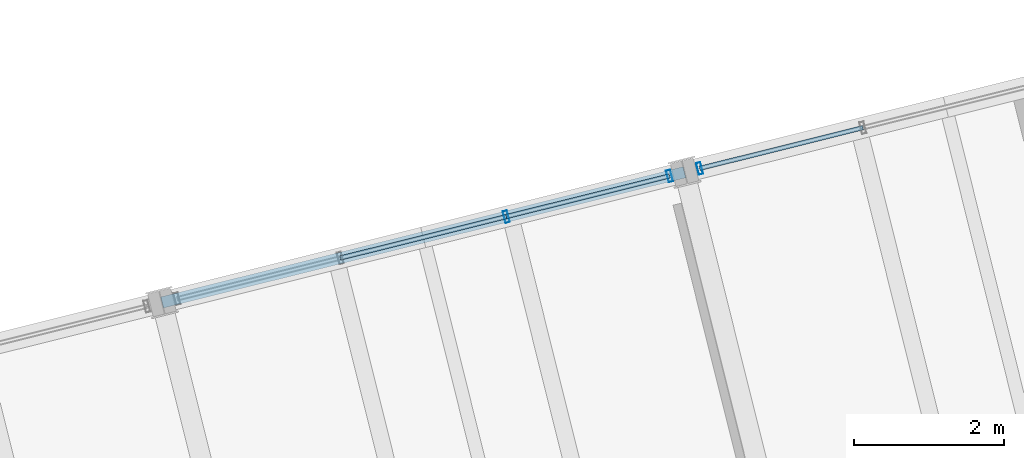
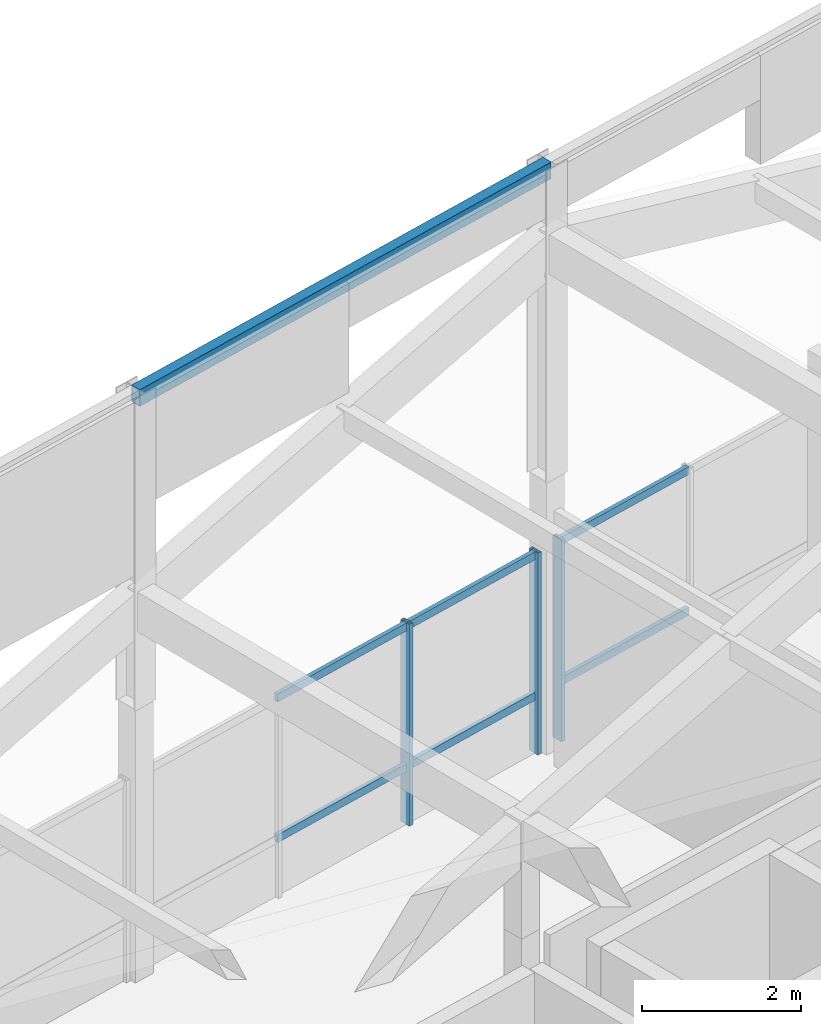
# One storey, part 17 of 31: 9 members, 1 beam, 2 elements without a shape of their own.
"""IFC4 building model written with IfcOpenShell, lengths in metres."""

from ifc_helpers import new_model, si_unit, direction, frame, origin, origin_2d, place, context, subcontext, project, spatial, hollow_rectangle, extrude, material, layer, layer_set, material_profile, profile_set, type_object, element, aggregate, save


model = new_model("IFC4")

# Units and contexts
model_context = context("Model", 3, precision=1e-05, world=origin(), true_north=direction((0.0, 1.0)))
body_context = subcontext(model_context, "Body", "Model", "MODEL_VIEW")
ifc_project = project(units=[si_unit("LENGTHUNIT", "METRE"), si_unit("AREAUNIT", "SQUARE_METRE"), si_unit("VOLUMEUNIT", "CUBIC_METRE"), si_unit("PLANEANGLEUNIT", "RADIAN"), si_unit("MASSUNIT", "GRAM", prefix="KILO")], contexts=[model_context])

# Site, building, storey
site_placement = place(None, origin())
site = spatial("IfcSite", under=ifc_project, at=site_placement, CompositionType="ELEMENT")
building_placement = place(site_placement, origin())
building = spatial("IfcBuilding", under=site, at=building_placement, Name="Meriwether Solvik Hall", CompositionType="ELEMENT")
storey_placement = place(building_placement, frame((0.0, 0.0, 61.199951171875)))
storey = spatial("IfcBuildingStorey", under=building, at=storey_placement, Name="L15", CompositionType="ELEMENT", Elevation=61.199951171875)

# Beam
ifc_material_1 = material(Name="Steel A500 Grade C", Category="steel")
ifc_material_profile_1 = material_profile(ifc_material_1, hollow_rectangle(XDim=0.152099609375, YDim=0.25390625, WallThickness=0.009521484375, at=origin_2d()), Name="HSS254X152X9.5")
ifc_profile_set_1 = profile_set([ifc_material_profile_1], Name="Steel A500 Grade C")
beam_type = type_object("IfcBeamType", Name="BM-STL-HSS254", PredefinedType="SPANDREL", material=ifc_profile_set_1)
beam_placement = place(storey_placement, frame((76.1865234375, 71.94873046875, 8.873046875), z_axis=(-0.970291911955, -0.241937193493, 0.0), x_axis=(0.241937193493, -0.970291911955, 0.0)))
element("IfcBeam", 1, at=beam_placement, inside=storey, type_object=beam_type, Name="Crown Cap Ring Beam T3TE-T2TE", PredefinedType="SPANDREL", context=body_context, shape_type="SweptSolid", body=[
    extrude(hollow_rectangle(XDim=0.152099609375, YDim=0.25390625, WallThickness=0.009521484375, at=origin_2d()), origin(), (0.0, 0.0, 1.0), 7.199951171875),
])

# Curtain wall, members
ifc_material_2 = material(Name="Thermally Broken Anodised Aluminium 6063-T6 and Low-E Glass", Category="aluminium")
ifc_layer_1 = layer(ifc_material_2, 0.179931640625)
ifc_layer_set_1 = layer_set([ifc_layer_1], Name="Thermally Broken Anodised Aluminium 6063-T6 and Low-E Glass")
curtain_wall_type_1 = type_object("IfcCurtainWallType", Name="CW-UNIT-B", PredefinedType="USERDEFINED", material=ifc_layer_set_1)
curtain_wall_1_placement = place(storey_placement, origin())
curtain_wall_1 = element("IfcCurtainWall", 2, at=curtain_wall_1_placement, inside=storey, type_object=curtain_wall_type_1, Name="Curtain Wall E2_B1 (L15)", ObjectType="UNITISED CURTAIN WALL", PredefinedType="USERDEFINED")
ifc_material_3 = material(Name="Anodised Aluminium 6063-T6", Category="aluminium")
ifc_material_profile_2 = material_profile(ifc_material_3, hollow_rectangle(XDim=0.06005859375, YDim=0.159912109375, WallThickness=0.00390625, at=origin_2d()), Name="CWM-60X160")
ifc_profile_set_2 = profile_set([ifc_material_profile_2], Name="Anodised Aluminium 6063-T6")
member_type_1 = type_object("IfcMemberType", Name="CW-MUL-60X160", PredefinedType="MULLION", material=ifc_profile_set_2)
member_1_placement = place(storey_placement, frame((73.802978515625, 71.3544921875, 0.0), z_axis=(0.0, 0.0, 1.0), x_axis=(0.970295730764, 0.241921877598, 0.0)))
member_1 = element("IfcMember", 3, at=member_1_placement, type_object=member_type_1, Name="Curtain Wall Mullion 3", PredefinedType="MULLION", context=body_context, shape_type="SweptSolid", body=[
    extrude(hollow_rectangle(XDim=0.06005859375, YDim=0.159912109375, WallThickness=0.00390625, at=origin_2d()), origin(), (0.0, 0.0, 1.0), 3.10205078125),
])
member_2_placement = place(storey_placement, frame((75.9853515625, 71.8984375, 0.0), z_axis=(0.0, 0.0, 1.0), x_axis=(0.970295730764, 0.241921877598, 0.0)))
member_2 = element("IfcMember", 4, at=member_2_placement, type_object=member_type_1, Name="Curtain Wall Mullion 4", PredefinedType="MULLION", context=body_context, shape_type="SweptSolid", body=[
    extrude(hollow_rectangle(XDim=0.06005859375, YDim=0.159912109375, WallThickness=0.00390625, at=origin_2d()), origin(), (0.0, 0.0, 1.0), 3.10205078125),
])

# Curtain wall, member
ifc_material_4 = material(Name="Thermally Broken Anodised Aluminium 6063-T6 and Low-E Glass", Category="aluminium")
ifc_layer_2 = layer(ifc_material_4, 0.179931640625)
ifc_layer_set_2 = layer_set([ifc_layer_2], Name="Thermally Broken Anodised Aluminium 6063-T6 and Low-E Glass")
curtain_wall_type_2 = type_object("IfcCurtainWallType", Name="CW-UNIT-C", PredefinedType="USERDEFINED", material=ifc_layer_set_2)
curtain_wall_2_placement = place(storey_placement, origin())
curtain_wall_2 = element("IfcCurtainWall", 5, at=curtain_wall_2_placement, inside=storey, type_object=curtain_wall_type_2, Name="Curtain Wall E2_B2 (L15)", ObjectType="UNITISED CURTAIN WALL", PredefinedType="USERDEFINED")
member_3_placement = place(storey_placement, frame((76.387939453125, 71.9990234375, 0.0), z_axis=(0.0, 0.0, 1.0), x_axis=(0.970295730764, 0.241921877598, 0.0)))
member_3 = element("IfcMember", 6, at=member_3_placement, type_object=member_type_1, Name="Curtain Wall Mullion 1", PredefinedType="MULLION", context=body_context, shape_type="SweptSolid", body=[
    extrude(hollow_rectangle(XDim=0.06005859375, YDim=0.159912109375, WallThickness=0.00390625, at=origin_2d()), origin(), (0.0, 0.0, 1.0), 3.10205078125),
])

# Member
ifc_material_5 = material(Name="Anodised Aluminium 6063-T6", Category="aluminium")
ifc_material_profile_3 = material_profile(ifc_material_5, hollow_rectangle(XDim=0.06005859375, YDim=0.1201171875, WallThickness=0.00390625, at=origin_2d()), Name="CWT-60X120")
ifc_profile_set_3 = profile_set([ifc_material_profile_3], Name="Anodised Aluminium 6063-T6")
member_type_2 = type_object("IfcMemberType", Name="CW-TRN-60X120", PredefinedType="USERDEFINED", material=ifc_profile_set_3)
member_4_placement = place(storey_placement, frame((71.583984375, 70.80126953125, 0.880126953125), z_axis=(0.97029929005, 0.241907601634, 0.0), x_axis=(-0.241907601634, 0.97029929005, 0.0)))
member_4 = element("IfcMember", 7, at=member_4_placement, type_object=member_type_2, Name="Curtain Wall Transom 2-sill", ObjectType="TRANSOM", PredefinedType="USERDEFINED", context=body_context, shape_type="SweptSolid", body=[
    extrude(hollow_rectangle(XDim=0.06005859375, YDim=0.1201171875, WallThickness=0.00390625, at=origin_2d()), origin(), (0.0, 0.0, 1.0), 2.286865234375),
])

member_5_placement = place(storey_placement, frame((71.583984375, 70.80126953125, 3.0419921875), z_axis=(0.97029929005, 0.241907601634, 0.0), x_axis=(-0.241907601634, 0.97029929005, 0.0)))
member_5 = element("IfcMember", 8, at=member_5_placement, type_object=member_type_2, Name="Curtain Wall Transom 2-head", ObjectType="TRANSOM", PredefinedType="USERDEFINED", context=body_context, shape_type="SweptSolid", body=[
    extrude(hollow_rectangle(XDim=0.06005859375, YDim=0.1201171875, WallThickness=0.00390625, at=origin_2d()), origin(), (0.0, 0.0, 1.0), 2.286865234375),
])

member_6_placement = place(storey_placement, frame((73.802978515625, 71.3544921875, 0.880126953125), z_axis=(0.970314655542, 0.241845961802, 0.0), x_axis=(-0.241845961802, 0.970314655542, 0.0)))
member_6 = element("IfcMember", 9, at=member_6_placement, type_object=member_type_2, Name="Curtain Wall Transom 3-sill", ObjectType="TRANSOM", PredefinedType="USERDEFINED", context=body_context, shape_type="SweptSolid", body=[
    extrude(hollow_rectangle(XDim=0.06005859375, YDim=0.1201171875, WallThickness=0.00390625, at=origin_2d()), origin(), (0.0, 0.0, 1.0), 2.2490234375),
])

member_7_placement = place(storey_placement, frame((73.802978515625, 71.3544921875, 3.0419921875), z_axis=(0.970314655542, 0.241845961802, 0.0), x_axis=(-0.241845961802, 0.970314655542, 0.0)))
member_7 = element("IfcMember", 10, at=member_7_placement, type_object=member_type_2, Name="Curtain Wall Transom 3-head", ObjectType="TRANSOM", PredefinedType="USERDEFINED", context=body_context, shape_type="SweptSolid", body=[
    extrude(hollow_rectangle(XDim=0.06005859375, YDim=0.1201171875, WallThickness=0.00390625, at=origin_2d()), origin(), (0.0, 0.0, 1.0), 2.2490234375),
])

aggregate(curtain_wall_1, [member_1, member_2, member_4, member_5, member_6, member_7])

member_8_placement = place(storey_placement, frame((76.387939453125, 71.9990234375, 0.880126953125), z_axis=(0.970308305597, 0.241871437108, 0.0), x_axis=(-0.241871437108, 0.970308305597, 0.0)))
member_8 = element("IfcMember", 11, at=member_8_placement, type_object=member_type_2, Name="Curtain Wall Transom 1-sill", ObjectType="TRANSOM", PredefinedType="USERDEFINED", context=body_context, shape_type="SweptSolid", body=[
    extrude(hollow_rectangle(XDim=0.06005859375, YDim=0.1201171875, WallThickness=0.00390625, at=origin_2d()), origin(), (0.0, 0.0, 1.0), 2.2490234375),
])

member_9_placement = place(storey_placement, frame((76.387939453125, 71.9990234375, 3.0419921875), z_axis=(0.970308305597, 0.241871437108, 0.0), x_axis=(-0.241871437108, 0.970308305597, 0.0)))
member_9 = element("IfcMember", 12, at=member_9_placement, type_object=member_type_2, Name="Curtain Wall Transom 1-head", ObjectType="TRANSOM", PredefinedType="USERDEFINED", context=body_context, shape_type="SweptSolid", body=[
    extrude(hollow_rectangle(XDim=0.06005859375, YDim=0.1201171875, WallThickness=0.00390625, at=origin_2d()), origin(), (0.0, 0.0, 1.0), 2.2490234375),
])

aggregate(curtain_wall_2, [member_3, member_8, member_9])

save(model, "model.ifc")
